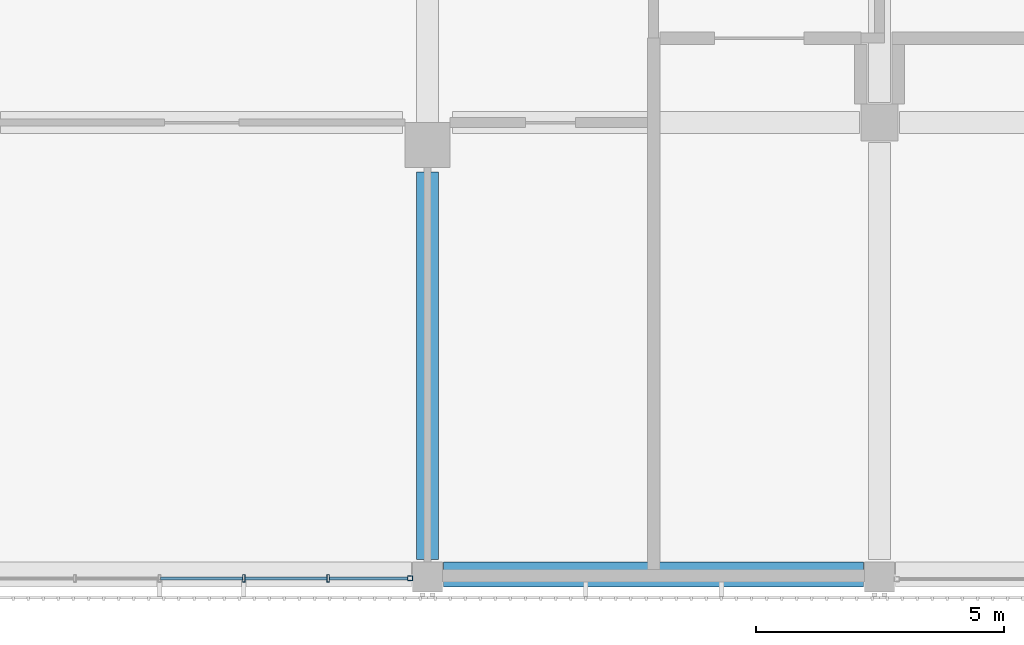
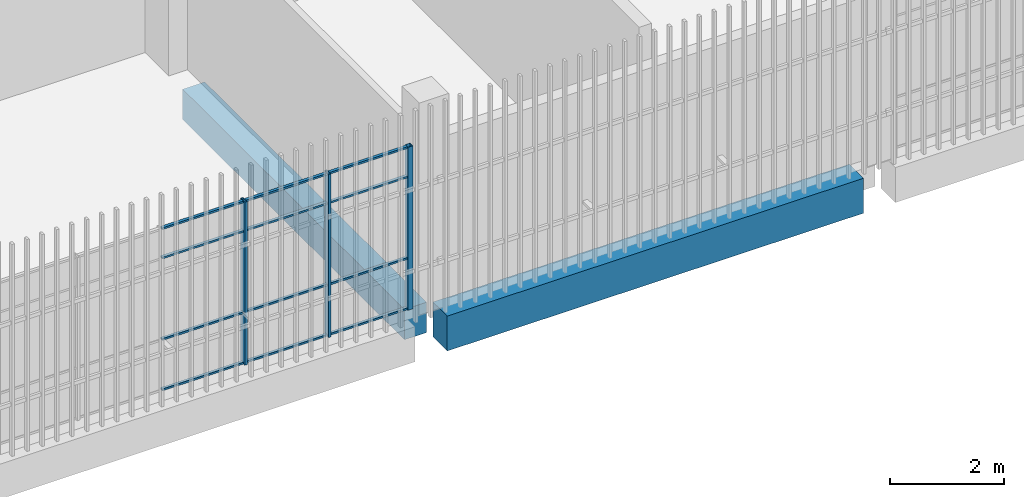
# One storey, part 18 of 104: 15 members, 2 beams, 1 element without a shape of its own.
"""IFC4 building model written with IfcOpenShell, lengths in metres."""

from ifc_helpers import new_model, si_unit, direction, frame, origin, origin_2d, place, context, subcontext, project, spatial, rectangle, hollow_rectangle, extrude, material, layer, layer_set, material_profile, profile_set, type_object, element, aggregate, save


model = new_model("IFC4")

# Units and contexts
model_context = context("Model", 3, precision=1e-05, world=origin(), true_north=direction((0.0, 1.0)))
body_context = subcontext(model_context, "Body", "Model", "MODEL_VIEW")
ifc_project = project(units=[si_unit("LENGTHUNIT", "METRE"), si_unit("AREAUNIT", "SQUARE_METRE"), si_unit("VOLUMEUNIT", "CUBIC_METRE"), si_unit("PLANEANGLEUNIT", "RADIAN"), si_unit("MASSUNIT", "GRAM", prefix="KILO")], contexts=[model_context])

# Site, building, storey
site_placement = place(None, origin())
site = spatial("IfcSite", under=ifc_project, at=site_placement, CompositionType="ELEMENT")
building_placement = place(site_placement, origin())
building = spatial("IfcBuilding", under=site, at=building_placement, Name="Shirokan Park Arena", CompositionType="ELEMENT")
storey_placement = place(building_placement, frame((0.0, 0.0, 10.919921875)))
storey = spatial("IfcBuildingStorey", under=building, at=storey_placement, Name="L02", CompositionType="ELEMENT", Elevation=10.919921875)

# Curtain wall, members
ifc_material_1 = material(Name="Steel and glass curtain wall", Category="steel")
ifc_layer = layer(ifc_material_1, 0.14990234375)
ifc_layer_set = layer_set([ifc_layer], Name="Steel and glass curtain wall 150 mm")
curtain_wall_type = type_object("IfcCurtainWallType", Name="Curtain wall exposed bay 150", PredefinedType="NOTDEFINED", material=ifc_layer_set)
curtain_wall_placement = place(storey_placement, origin())
curtain_wall = element("IfcCurtainWall", 1, at=curtain_wall_placement, inside=storey, type_object=curtain_wall_type, Name="Curtain wall south bay 11 L02", PredefinedType="NOTDEFINED")
ifc_material_2 = material(Name="Steel S355", Category="steel")
ifc_material_profile_1 = material_profile(ifc_material_2, hollow_rectangle(XDim=0.10009765625, YDim=0.10009765625, WallThickness=0.006103515625, at=origin_2d()), Name="RHS 100x100x6")
ifc_profile_set_1 = profile_set([ifc_material_profile_1], Name="Steel S355")
member_type_1 = type_object("IfcMemberType", Name="Mullion RHS 100x100x6", PredefinedType="MULLION", material=ifc_profile_set_1)
member_1_placement = place(storey_placement, frame((99.75, -0.074951171875, 0.0), z_axis=(0.0, 0.0, 1.0), x_axis=(0.0, 1.0, 0.0)))
member_1 = element("IfcMember", 2, at=member_1_placement, type_object=member_type_1, Name="CW1 mullion 6", PredefinedType="MULLION", context=body_context, shape_type="SweptSolid", body=[
    extrude(hollow_rectangle(XDim=0.10009765625, YDim=0.10009765625, WallThickness=0.006103515625, at=origin_2d()), origin(), (0.0, 0.0, 1.0), 3.5),
])
ifc_material_profile_2 = material_profile(ifc_material_2, hollow_rectangle(XDim=0.14990234375, YDim=0.050048828125, WallThickness=0.006103515625, at=origin_2d()), Name="RHS 150x50x6")
ifc_profile_set_2 = profile_set([ifc_material_profile_2], Name="Steel S355")
member_type_2 = type_object("IfcMemberType", Name="Mullion RHS 150x50x6", PredefinedType="MULLION", material=ifc_profile_set_2)
member_2_placement = place(storey_placement, frame((96.39990234375, -0.074951171875, 0.0), z_axis=(0.0, 0.0, 1.0), x_axis=(0.0, 1.0, 0.0)))
member_2 = element("IfcMember", 3, at=member_2_placement, type_object=member_type_2, Name="CW1 mullion 4", PredefinedType="MULLION", context=body_context, shape_type="SweptSolid", body=[
    extrude(hollow_rectangle(XDim=0.14990234375, YDim=0.050048828125, WallThickness=0.006103515625, at=origin_2d()), origin(), (0.0, 0.0, 1.0), 3.5),
])
member_3_placement = place(storey_placement, frame((98.10009765625, -0.074951171875, 0.0), z_axis=(0.0, 0.0, 1.0), x_axis=(0.0, 1.0, 0.0)))
member_3 = element("IfcMember", 4, at=member_3_placement, type_object=member_type_2, Name="CW1 mullion 5", PredefinedType="MULLION", context=body_context, shape_type="SweptSolid", body=[
    extrude(hollow_rectangle(XDim=0.14990234375, YDim=0.050048828125, WallThickness=0.006103515625, at=origin_2d()), origin(), (0.0, 0.0, 1.0), 3.5),
])

# Beams
ifc_material_3 = material(Name="Concrete C35", Category="concrete")
ifc_material_profile_3 = material_profile(ifc_material_3, rectangle(XDim=0.449951171875, YDim=0.64990234375, at=origin_2d()), Name="450x650")
ifc_profile_set_3 = profile_set([ifc_material_profile_3], Name="Concrete C35")
beam_type_1 = type_object("IfcBeamType", Name="RC girder 450x650", PredefinedType="BEAM", material=ifc_profile_set_3)
beam_1_placement = place(storey_placement, frame((100.10009765625, 0.300048828125, -0.625), z_axis=(0.0, 1.0, 0.0), x_axis=(-1.0, 0.0, 0.0)))
element("IfcBeam", 5, at=beam_1_placement, inside=storey, type_object=beam_type_1, Name="Girder 12A-12B L02", PredefinedType="BEAM", context=body_context, shape_type="SweptSolid", body=[
    extrude(rectangle(XDim=0.449951171875, YDim=0.64990234375, at=origin_2d()), origin(), (0.0, 0.0, 1.0), 7.7998046875),
])
ifc_material_profile_4 = material_profile(ifc_material_3, rectangle(XDim=0.5, YDim=0.75, at=origin_2d()), Name="500x750")
ifc_profile_set_4 = profile_set([ifc_material_profile_4], Name="Concrete C35")
beam_type_2 = type_object("IfcBeamType", Name="RC girder 500x750", PredefinedType="BEAM", material=ifc_profile_set_4)
beam_2_placement = place(storey_placement, frame((100.425048828125, 0.0, -0.6748046875), z_axis=(1.0, 0.0, 0.0), x_axis=(0.0, 1.0, 0.0)))
element("IfcBeam", 6, at=beam_2_placement, inside=storey, type_object=beam_type_2, Name="Girder 12A-13A L02", PredefinedType="BEAM", context=body_context, shape_type="SweptSolid", body=[
    extrude(rectangle(XDim=0.5, YDim=0.75, at=origin_2d()), origin(), (0.0, 0.0, 1.0), 8.449951171875),
])

# Member
ifc_material_profile_5 = material_profile(ifc_material_2, hollow_rectangle(XDim=0.06005859375, YDim=0.0400390625, WallThickness=0.00390625, at=origin_2d()), Name="RHS 60x40x4")
ifc_profile_set_5 = profile_set([ifc_material_profile_5], Name="Steel S355")
member_type_3 = type_object("IfcMemberType", Name="Transom RHS 60x40x4", PredefinedType="MULLION", material=ifc_profile_set_5)
member_4_placement = place(storey_placement, frame((94.72509765625, -0.074951171875, 0.02001953125), z_axis=(1.0, 0.0, 0.0), x_axis=(0.0, 1.0, 0.0)))
member_4 = element("IfcMember", 7, at=member_4_placement, type_object=member_type_3, Name="CW1 transom 3.1", PredefinedType="MULLION", context=body_context, shape_type="SweptSolid", body=[
    extrude(hollow_rectangle(XDim=0.06005859375, YDim=0.0400390625, WallThickness=0.00390625, at=origin_2d()), origin(), (0.0, 0.0, 1.0), 1.64990234375),
])

member_5_placement = place(storey_placement, frame((94.72509765625, -0.074951171875, 1.10009765625), z_axis=(1.0, 0.0, 0.0), x_axis=(0.0, 1.0, 0.0)))
member_5 = element("IfcMember", 8, at=member_5_placement, type_object=member_type_3, Name="CW1 transom 3.2", PredefinedType="MULLION", context=body_context, shape_type="SweptSolid", body=[
    extrude(hollow_rectangle(XDim=0.06005859375, YDim=0.0400390625, WallThickness=0.00390625, at=origin_2d()), origin(), (0.0, 0.0, 1.0), 1.64990234375),
])

member_6_placement = place(storey_placement, frame((94.72509765625, -0.074951171875, 2.85009765625), z_axis=(1.0, 0.0, 0.0), x_axis=(0.0, 1.0, 0.0)))
member_6 = element("IfcMember", 9, at=member_6_placement, type_object=member_type_3, Name="CW1 transom 3.3", PredefinedType="MULLION", context=body_context, shape_type="SweptSolid", body=[
    extrude(hollow_rectangle(XDim=0.06005859375, YDim=0.0400390625, WallThickness=0.00390625, at=origin_2d()), origin(), (0.0, 0.0, 1.0), 1.64990234375),
])

member_7_placement = place(storey_placement, frame((94.72509765625, -0.074951171875, 3.47998046875), z_axis=(1.0, 0.0, 0.0), x_axis=(0.0, 1.0, 0.0)))
member_7 = element("IfcMember", 10, at=member_7_placement, type_object=member_type_3, Name="CW1 transom 3.4", PredefinedType="MULLION", context=body_context, shape_type="SweptSolid", body=[
    extrude(hollow_rectangle(XDim=0.06005859375, YDim=0.0400390625, WallThickness=0.00390625, at=origin_2d()), origin(), (0.0, 0.0, 1.0), 1.64990234375),
])

member_8_placement = place(storey_placement, frame((96.425048828125, -0.074951171875, 0.02001953125), z_axis=(1.0, 0.0, 0.0), x_axis=(0.0, 1.0, 0.0)))
member_8 = element("IfcMember", 11, at=member_8_placement, type_object=member_type_3, Name="CW1 transom 4.1", PredefinedType="MULLION", context=body_context, shape_type="SweptSolid", body=[
    extrude(hollow_rectangle(XDim=0.06005859375, YDim=0.0400390625, WallThickness=0.00390625, at=origin_2d()), origin(), (0.0, 0.0, 1.0), 1.64990234375),
])

member_9_placement = place(storey_placement, frame((96.425048828125, -0.074951171875, 1.10009765625), z_axis=(1.0, 0.0, 0.0), x_axis=(0.0, 1.0, 0.0)))
member_9 = element("IfcMember", 12, at=member_9_placement, type_object=member_type_3, Name="CW1 transom 4.2", PredefinedType="MULLION", context=body_context, shape_type="SweptSolid", body=[
    extrude(hollow_rectangle(XDim=0.06005859375, YDim=0.0400390625, WallThickness=0.00390625, at=origin_2d()), origin(), (0.0, 0.0, 1.0), 1.64990234375),
])

member_10_placement = place(storey_placement, frame((96.425048828125, -0.074951171875, 2.85009765625), z_axis=(1.0, 0.0, 0.0), x_axis=(0.0, 1.0, 0.0)))
member_10 = element("IfcMember", 13, at=member_10_placement, type_object=member_type_3, Name="CW1 transom 4.3", PredefinedType="MULLION", context=body_context, shape_type="SweptSolid", body=[
    extrude(hollow_rectangle(XDim=0.06005859375, YDim=0.0400390625, WallThickness=0.00390625, at=origin_2d()), origin(), (0.0, 0.0, 1.0), 1.64990234375),
])

member_11_placement = place(storey_placement, frame((96.425048828125, -0.074951171875, 3.47998046875), z_axis=(1.0, 0.0, 0.0), x_axis=(0.0, 1.0, 0.0)))
member_11 = element("IfcMember", 14, at=member_11_placement, type_object=member_type_3, Name="CW1 transom 4.4", PredefinedType="MULLION", context=body_context, shape_type="SweptSolid", body=[
    extrude(hollow_rectangle(XDim=0.06005859375, YDim=0.0400390625, WallThickness=0.00390625, at=origin_2d()), origin(), (0.0, 0.0, 1.0), 1.64990234375),
])

member_12_placement = place(storey_placement, frame((98.125, -0.074951171875, 0.02001953125), z_axis=(1.0, 0.0, 0.0), x_axis=(0.0, 1.0, 0.0)))
member_12 = element("IfcMember", 15, at=member_12_placement, type_object=member_type_3, Name="CW1 transom 5.1", PredefinedType="MULLION", context=body_context, shape_type="SweptSolid", body=[
    extrude(hollow_rectangle(XDim=0.06005859375, YDim=0.0400390625, WallThickness=0.00390625, at=origin_2d()), origin(), (0.0, 0.0, 1.0), 1.574951171875),
])

member_13_placement = place(storey_placement, frame((98.125, -0.074951171875, 1.10009765625), z_axis=(1.0, 0.0, 0.0), x_axis=(0.0, 1.0, 0.0)))
member_13 = element("IfcMember", 16, at=member_13_placement, type_object=member_type_3, Name="CW1 transom 5.2", PredefinedType="MULLION", context=body_context, shape_type="SweptSolid", body=[
    extrude(hollow_rectangle(XDim=0.06005859375, YDim=0.0400390625, WallThickness=0.00390625, at=origin_2d()), origin(), (0.0, 0.0, 1.0), 1.574951171875),
])

member_14_placement = place(storey_placement, frame((98.125, -0.074951171875, 2.85009765625), z_axis=(1.0, 0.0, 0.0), x_axis=(0.0, 1.0, 0.0)))
member_14 = element("IfcMember", 17, at=member_14_placement, type_object=member_type_3, Name="CW1 transom 5.3", PredefinedType="MULLION", context=body_context, shape_type="SweptSolid", body=[
    extrude(hollow_rectangle(XDim=0.06005859375, YDim=0.0400390625, WallThickness=0.00390625, at=origin_2d()), origin(), (0.0, 0.0, 1.0), 1.574951171875),
])

member_15_placement = place(storey_placement, frame((98.125, -0.074951171875, 3.47998046875), z_axis=(1.0, 0.0, 0.0), x_axis=(0.0, 1.0, 0.0)))
member_15 = element("IfcMember", 18, at=member_15_placement, type_object=member_type_3, Name="CW1 transom 5.4", PredefinedType="MULLION", context=body_context, shape_type="SweptSolid", body=[
    extrude(hollow_rectangle(XDim=0.06005859375, YDim=0.0400390625, WallThickness=0.00390625, at=origin_2d()), origin(), (0.0, 0.0, 1.0), 1.574951171875),
])

aggregate(curtain_wall, [member_2, member_3, member_1, member_4, member_5, member_6, member_7, member_8, member_9, member_10, member_11, member_12, member_13, member_14, member_15])

save(model, "model.ifc")
